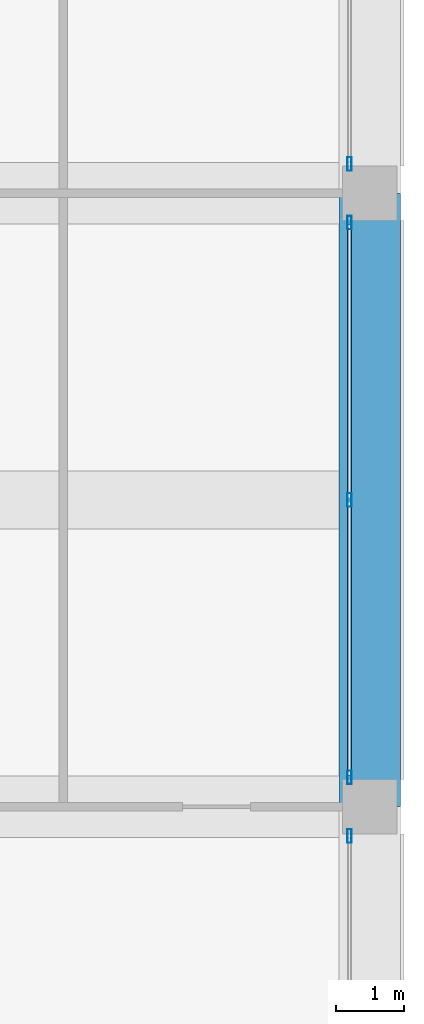
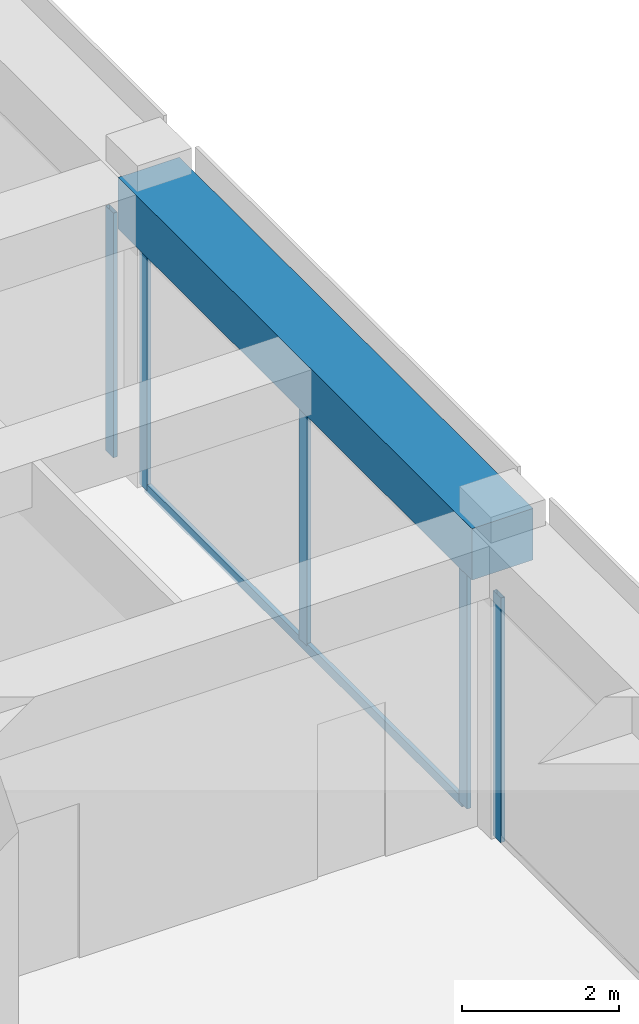
# One storey, part 34 of 46: 6 members, 1 beam, 3 elements without a shape of their own.
"""IFC4 building model written with IfcOpenShell, lengths in metres."""

from ifc_helpers import new_model, si_unit, direction, frame, origin, origin_2d, place, context, subcontext, project, spatial, rectangle, hollow_rectangle, extrude, material, material_profile, profile_set, type_object, element, aggregate, save


model = new_model("IFC4")

# Units and contexts
model_context = context("Model", 3, precision=1e-05, world=origin(), true_north=direction((0.0, 1.0)))
body_context = subcontext(model_context, "Body", "Model", "MODEL_VIEW")
ifc_project = project(units=[si_unit("LENGTHUNIT", "METRE"), si_unit("AREAUNIT", "SQUARE_METRE"), si_unit("VOLUMEUNIT", "CUBIC_METRE"), si_unit("PLANEANGLEUNIT", "RADIAN"), si_unit("MASSUNIT", "GRAM", prefix="KILO")], contexts=[model_context])

# Site, building, storey
site_placement = place(None, origin())
site = spatial("IfcSite", under=ifc_project, at=site_placement, CompositionType="ELEMENT")
building_placement = place(site_placement, origin())
building = spatial("IfcBuilding", under=site, at=building_placement, Name="Zorevar Civic Tower", CompositionType="ELEMENT")
storey_placement = place(building_placement, frame((0.0, 0.0, 10.800048828125)))
storey = spatial("IfcBuildingStorey", under=building, at=storey_placement, Name="L02", CompositionType="ELEMENT", Elevation=10.800048828125)

# Curtain wall, member
ifc_material_1 = material(Name="Dark grey solar-control glass in black aluminium frame", Category="aluminium")
curtain_wall_type = type_object("IfcCurtainWallType", Name="Curtain wall CW1 podium", PredefinedType="NOTDEFINED", material=ifc_material_1)
curtain_wall_1_placement = place(storey_placement, origin())
curtain_wall_1 = element("IfcCurtainWall", 1, at=curtain_wall_1_placement, inside=storey, type_object=curtain_wall_type, Name="CW1 L02", PredefinedType="NOTDEFINED")
ifc_material_2 = material(Name="Aluminium, black anodised", Category="aluminium")
ifc_material_profile_1 = material_profile(ifc_material_2, hollow_rectangle(XDim=0.06005859375, YDim=0.199951171875, WallThickness=0.00390625, at=origin_2d()), Name="AL 200x60x4")
ifc_profile_set_1 = profile_set([ifc_material_profile_1], Name="Aluminium, black anodised")
member_type_1 = type_object("IfcMemberType", Name="CW1 mullion AL 200x60x4", PredefinedType="MULLION", material=ifc_profile_set_1)
member_1_placement = place(storey_placement, frame((71.699951171875, 17.570068359375, 0.0), z_axis=(0.0, 0.0, 1.0), x_axis=(-1.0, 0.0, 0.0)))
member_1 = element("IfcMember", 2, at=member_1_placement, type_object=member_type_1, Name="CW1 mullion 3", PredefinedType="MULLION", context=body_context, shape_type="SweptSolid", body=[
    extrude(hollow_rectangle(XDim=0.06005859375, YDim=0.199951171875, WallThickness=0.00390625, at=origin_2d()), origin(), (0.0, 0.0, 1.0), 3.800048828125),
])
aggregate(curtain_wall_1, [member_1])

# Curtain wall, members
curtain_wall_2_placement = place(storey_placement, origin())
curtain_wall_2 = element("IfcCurtainWall", 3, at=curtain_wall_2_placement, inside=storey, type_object=curtain_wall_type, Name="CW1 L02", PredefinedType="NOTDEFINED")
member_2_placement = place(storey_placement, frame((71.699951171875, 18.429931640625, 0.0), z_axis=(0.0, 0.0, 1.0), x_axis=(-1.0, 0.0, 0.0)))
member_2 = element("IfcMember", 4, at=member_2_placement, type_object=member_type_1, Name="CW1 mullion 1", PredefinedType="MULLION", context=body_context, shape_type="SweptSolid", body=[
    extrude(hollow_rectangle(XDim=0.06005859375, YDim=0.199951171875, WallThickness=0.00390625, at=origin_2d()), origin(), (0.0, 0.0, 1.0), 3.800048828125),
])
member_3_placement = place(storey_placement, frame((71.699951171875, 22.5, 0.06005859375), z_axis=(0.0, 0.0, 1.0), x_axis=(-1.0, 0.0, 0.0)))
member_3 = element("IfcMember", 5, at=member_3_placement, type_object=member_type_1, Name="CW1 mullion 2", PredefinedType="MULLION", context=body_context, shape_type="SweptSolid", body=[
    extrude(hollow_rectangle(XDim=0.06005859375, YDim=0.199951171875, WallThickness=0.00390625, at=origin_2d()), origin(), (0.0, 0.0, 1.0), 3.739990234375),
])
member_4_placement = place(storey_placement, frame((71.699951171875, 26.570068359375, 0.0), z_axis=(0.0, 0.0, 1.0), x_axis=(-1.0, 0.0, 0.0)))
member_4 = element("IfcMember", 6, at=member_4_placement, type_object=member_type_1, Name="CW1 mullion 3", PredefinedType="MULLION", context=body_context, shape_type="SweptSolid", body=[
    extrude(hollow_rectangle(XDim=0.06005859375, YDim=0.199951171875, WallThickness=0.00390625, at=origin_2d()), origin(), (0.0, 0.0, 1.0), 3.800048828125),
])

# Curtain wall, member
curtain_wall_3_placement = place(storey_placement, origin())
curtain_wall_3 = element("IfcCurtainWall", 7, at=curtain_wall_3_placement, inside=storey, type_object=curtain_wall_type, Name="CW1 L02", PredefinedType="NOTDEFINED")
member_5_placement = place(storey_placement, frame((71.699951171875, 27.429931640625, 0.0), z_axis=(0.0, 0.0, 1.0), x_axis=(-1.0, 0.0, 0.0)))
member_5 = element("IfcMember", 8, at=member_5_placement, type_object=member_type_1, Name="CW1 mullion 1", PredefinedType="MULLION", context=body_context, shape_type="SweptSolid", body=[
    extrude(hollow_rectangle(XDim=0.06005859375, YDim=0.199951171875, WallThickness=0.00390625, at=origin_2d()), origin(), (0.0, 0.0, 1.0), 3.800048828125),
])
aggregate(curtain_wall_3, [member_5])

# Member
ifc_material_3 = material(Name="Aluminium, black anodised", Category="aluminium")
ifc_material_profile_2 = material_profile(ifc_material_3, hollow_rectangle(XDim=0.06005859375, YDim=0.14990234375, WallThickness=0.00390625, at=origin_2d()), Name="AL 150x60x4")
ifc_profile_set_2 = profile_set([ifc_material_profile_2], Name="Aluminium, black anodised")
member_type_2 = type_object("IfcMemberType", Name="CW1 transom AL 150x60x4", PredefinedType="USERDEFINED", material=ifc_profile_set_2)
member_6_placement = place(storey_placement, frame((71.699951171875, 18.4599609375, 0.030029296875), z_axis=(0.0, 1.0, 0.0), x_axis=(-1.0, 0.0, 0.0)))
member_6 = element("IfcMember", 9, at=member_6_placement, type_object=member_type_2, Name="CW1 sill transom", ObjectType="TRANSOM", PredefinedType="USERDEFINED", context=body_context, shape_type="SweptSolid", body=[
    extrude(hollow_rectangle(XDim=0.06005859375, YDim=0.14990234375, WallThickness=0.00390625, at=origin_2d()), origin(), (0.0, 0.0, 1.0), 8.080078125),
])

aggregate(curtain_wall_2, [member_2, member_3, member_4, member_6])

# Beam
ifc_material_4 = material(Name="Concrete C50/60", Category="concrete")
ifc_material_profile_3 = material_profile(ifc_material_4, rectangle(XDim=0.89990234375, YDim=0.800048828125, at=origin_2d()), Name="RC 900x800")
ifc_profile_set_3 = profile_set([ifc_material_profile_3], Name="Concrete C50/60")
beam_type = type_object("IfcBeamType", Name="Edge beam RC 900x800", PredefinedType="SPANDREL", material=ifc_profile_set_3)
beam_placement = place(storey_placement, frame((72.0, 18.0, 4.199951171875), z_axis=(0.0, 1.0, 0.0), x_axis=(-1.0, 0.0, 0.0)))
element("IfcBeam", 10, at=beam_placement, inside=storey, type_object=beam_type, Name="Edge beam L03", PredefinedType="SPANDREL", context=body_context, shape_type="SweptSolid", body=[
    extrude(rectangle(XDim=0.89990234375, YDim=0.800048828125, at=origin_2d()), origin(), (0.0, 0.0, 1.0), 9.0),
])

save(model, "model.ifc")
